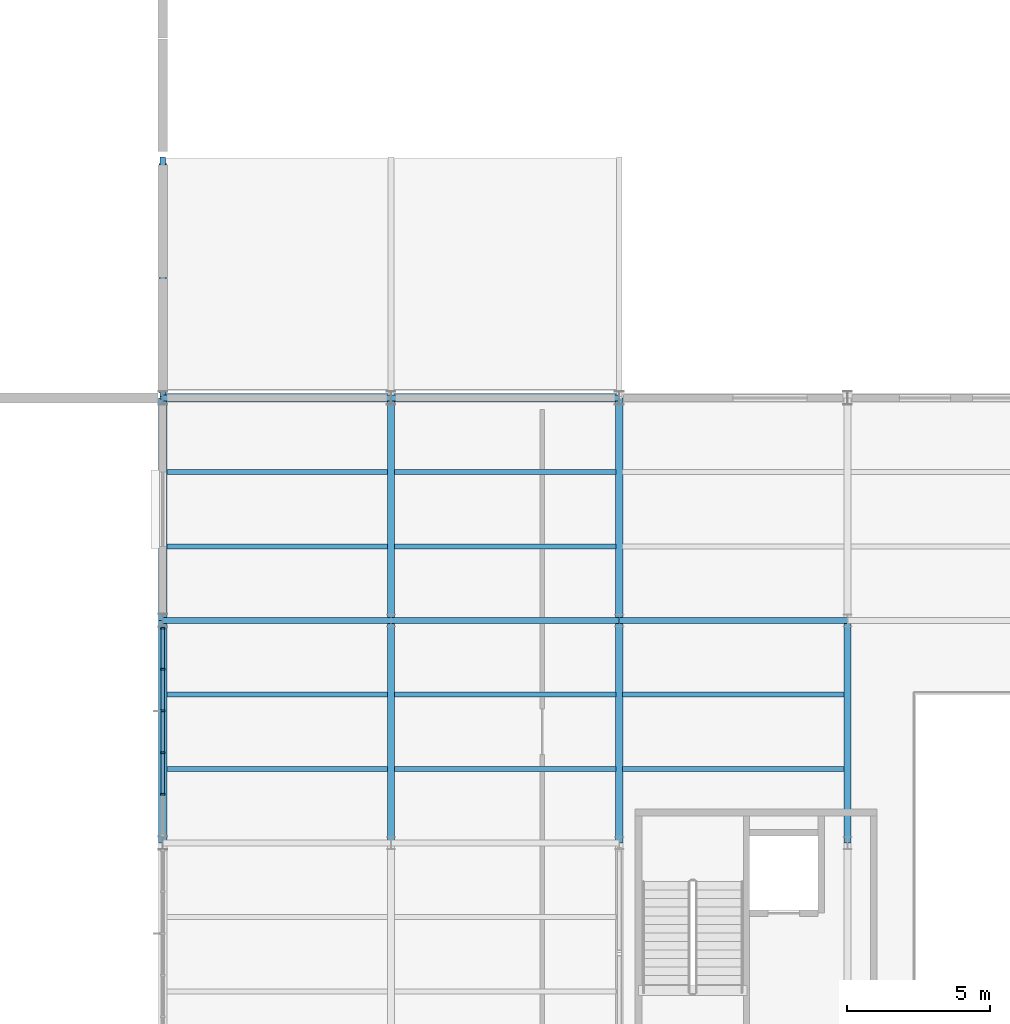
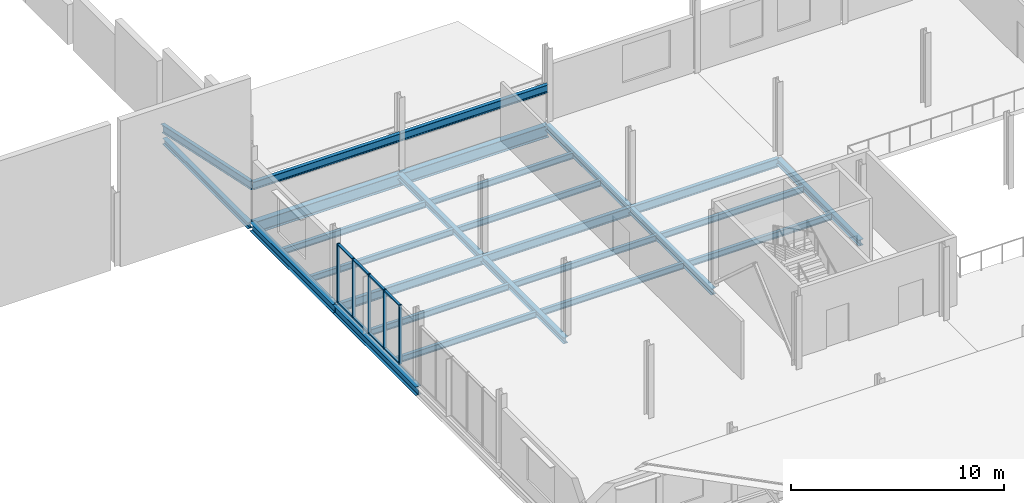
# One storey, part 14 of 45: 26 beams, 13 members, 1 element without a shape of its own.
"""IFC4 building model written with IfcOpenShell, lengths in metres."""

from ifc_helpers import new_model, si_unit, direction, frame, origin, origin_2d, place, context, subcontext, project, spatial, rectangle, i_section, extrude, material, layer, layer_set, material_profile, profile_set, type_object, element, aggregate, save


model = new_model("IFC4")

# Units and contexts
model_context = context("Model", 3, precision=1e-05, world=origin(), true_north=direction((0.0, 1.0)))
body_context = subcontext(model_context, "Body", "Model", "MODEL_VIEW")
ifc_project = project(units=[si_unit("LENGTHUNIT", "METRE"), si_unit("AREAUNIT", "SQUARE_METRE"), si_unit("VOLUMEUNIT", "CUBIC_METRE"), si_unit("PLANEANGLEUNIT", "RADIAN"), si_unit("MASSUNIT", "GRAM", prefix="KILO")], contexts=[model_context])

# Site, building, storey
site_placement = place(None, origin())
site = spatial("IfcSite", under=ifc_project, at=site_placement, CompositionType="ELEMENT")
building_placement = place(site_placement, origin())
building = spatial("IfcBuilding", under=site, at=building_placement, Name="Yukiwa Park Conservatory and Herbarium", CompositionType="ELEMENT")
storey_placement = place(building_placement, frame((0.0, 0.0, 9.0)))
storey = spatial("IfcBuildingStorey", under=building, at=storey_placement, Name="L02", CompositionType="ELEMENT", Elevation=9.0)

# Beams
ifc_material_1 = material(Name="Steel Q355D", Category="steel")
ifc_material_profile_1 = material_profile(ifc_material_1, i_section(OverallWidth=0.25, OverallDepth=0.340087890625, WebThickness=0.009033203125, FlangeThickness=0.013916015625, FilletRadius=0.02001953125, at=origin_2d()), Name="HM 340x250x9x14")
ifc_profile_set_1 = profile_set([ifc_material_profile_1], Name="Steel Q355D")
beam_type_1 = type_object("IfcBeamType", Name="BM-GRD-HM340", PredefinedType="BEAM", material=ifc_profile_set_1)
beam_1_placement = place(storey_placement, frame((60.0, 78.179931640625, -0.590087890625), z_axis=(0.0, 1.0, 0.0), x_axis=(-1.0, 0.0, 0.0)))
element("IfcBeam", 1, at=beam_1_placement, inside=storey, type_object=beam_type_1, Name="Auditorium east clerestory spandrel girder", PredefinedType="BEAM", context=body_context, shape_type="SweptSolid", body=[
    extrude(i_section(OverallWidth=0.25, OverallDepth=0.340087890625, WebThickness=0.009033203125, FlangeThickness=0.013916015625, FilletRadius=0.02001953125, at=origin_2d()), origin(), (0.0, 0.0, 1.0), 8.0400390625),
])
ifc_material_2 = material(Name="Steel Q355D", Category="steel")
ifc_material_profile_2 = material_profile(ifc_material_2, i_section(OverallWidth=0.25, OverallDepth=0.35009765625, WebThickness=0.009033203125, FlangeThickness=0.013916015625, FilletRadius=0.02001953125, at=origin_2d()), Name="HM 350x250x9x14")
ifc_profile_set_2 = profile_set([ifc_material_profile_2], Name="Steel Q355D")
beam_type_2 = type_object("IfcBeamType", Name="BM-GRD-HM350", PredefinedType="BEAM", material=ifc_profile_set_2)
beam_2_placement = place(storey_placement, frame((68.0, 62.406005859375, -0.419921875), z_axis=(0.0, 1.0, 0.0), x_axis=(-1.0, 0.0, 0.0)))
element("IfcBeam", 2, at=beam_2_placement, inside=storey, type_object=beam_type_2, Name="L02 grid girder Y-64", PredefinedType="BEAM", context=body_context, shape_type="SweptSolid", body=[
    extrude(i_section(OverallWidth=0.25, OverallDepth=0.35009765625, WebThickness=0.009033203125, FlangeThickness=0.013916015625, FilletRadius=0.02001953125, at=origin_2d()), origin(), (0.0, 0.0, 1.0), 7.7880859375),
])
beam_3_placement = place(storey_placement, frame((68.0, 70.2060546875, -0.419921875), z_axis=(0.0, 1.0, 0.0), x_axis=(-1.0, 0.0, 0.0)))
element("IfcBeam", 3, at=beam_3_placement, inside=storey, type_object=beam_type_2, Name="L02 grid girder Y-65", PredefinedType="BEAM", context=body_context, shape_type="SweptSolid", body=[
    extrude(i_section(OverallWidth=0.25, OverallDepth=0.35009765625, WebThickness=0.009033203125, FlangeThickness=0.013916015625, FilletRadius=0.02001953125, at=origin_2d()), origin(), (0.0, 0.0, 1.0), 7.787841796875),
])
beam_4_placement = place(storey_placement, frame((76.0, 62.406005859375, -0.419921875), z_axis=(0.0, 1.0, 0.0), x_axis=(-1.0, 0.0, 0.0)))
element("IfcBeam", 4, at=beam_4_placement, inside=storey, type_object=beam_type_2, Name="L02 grid girder Y-68", PredefinedType="BEAM", context=body_context, shape_type="SweptSolid", body=[
    extrude(i_section(OverallWidth=0.25, OverallDepth=0.35009765625, WebThickness=0.009033203125, FlangeThickness=0.013916015625, FilletRadius=0.02001953125, at=origin_2d()), origin(), (0.0, 0.0, 1.0), 7.7880859375),
])
beam_5_placement = place(storey_placement, frame((76.0, 70.2060546875, -0.419921875), z_axis=(0.0, 1.0, 0.0), x_axis=(-1.0, 0.0, 0.0)))
element("IfcBeam", 5, at=beam_5_placement, inside=storey, type_object=beam_type_2, Name="L02 grid girder Y-69", PredefinedType="BEAM", context=body_context, shape_type="SweptSolid", body=[
    extrude(i_section(OverallWidth=0.25, OverallDepth=0.35009765625, WebThickness=0.009033203125, FlangeThickness=0.013916015625, FilletRadius=0.02001953125, at=origin_2d()), origin(), (0.0, 0.0, 1.0), 7.787841796875),
])
beam_6_placement = place(storey_placement, frame((84.0, 62.406005859375, -0.419921875), z_axis=(0.0, 1.0, 0.0), x_axis=(-1.0, 0.0, 0.0)))
element("IfcBeam", 6, at=beam_6_placement, inside=storey, type_object=beam_type_2, Name="L02 grid girder Y-72", PredefinedType="BEAM", context=body_context, shape_type="SweptSolid", body=[
    extrude(i_section(OverallWidth=0.25, OverallDepth=0.35009765625, WebThickness=0.009033203125, FlangeThickness=0.013916015625, FilletRadius=0.02001953125, at=origin_2d()), origin(), (0.0, 0.0, 1.0), 7.7880859375),
])
ifc_material_3 = material(Name="Steel Q355D", Category="steel")
ifc_material_profile_3 = material_profile(ifc_material_3, i_section(OverallWidth=0.199951171875, OverallDepth=0.449951171875, WebThickness=0.009033203125, FlangeThickness=0.013916015625, FilletRadius=0.01806640625, at=origin_2d()), Name="HN 450x200x9x14")
ifc_profile_set_3 = profile_set([ifc_material_profile_3], Name="Steel Q355D")
beam_type_3 = type_object("IfcBeamType", Name="BM-GRD-HN450-EXT", PredefinedType="BEAM", material=ifc_profile_set_3)
for number, where, z_axis, x_axis, name in (
    (7, (60.006103515625, 78.0, 1.8154296875), (1.0, 0.0, 0.0), (0.0, 1.0, 0.0), "Auditorium link ridge header girder 1"),
    (8, (68.006103515625, 78.0, 1.8154296875), (1.0, 0.0, 0.0), (0.0, 1.0, 0.0), "Auditorium link ridge header girder 2"),
):
    element("IfcBeam", number, at=place(storey_placement, frame(where, z_axis=z_axis, x_axis=x_axis)), inside=storey, type_object=beam_type_3, Name=name, PredefinedType="BEAM", context=body_context, shape_type="SweptSolid", body=[
        extrude(i_section(OverallWidth=0.199951171875, OverallDepth=0.449951171875, WebThickness=0.009033203125, FlangeThickness=0.013916015625, FilletRadius=0.01806640625, at=origin_2d()), origin(), (0.0, 0.0, 1.0), 7.98779296875),
    ])
beam_7_placement = place(storey_placement, frame((60.0, 78.006103515625, 1.8154296875), z_axis=(0.0, 0.978088541236, -0.20818935012), x_axis=(-1.0, 0.0, 0.0)))
element("IfcBeam", 9, at=beam_7_placement, inside=storey, type_object=beam_type_3, Name="Auditorium link sloped rafter 1", PredefinedType="BEAM", context=body_context, shape_type="SweptSolid", body=[
    extrude(i_section(OverallWidth=0.199951171875, OverallDepth=0.449951171875, WebThickness=0.009033203125, FlangeThickness=0.013916015625, FilletRadius=0.01806640625, at=origin_2d()), origin(), (0.0, 0.0, 1.0), 8.575927734375),
])
ifc_material_4 = material(Name="Steel Q355D", Category="steel")
ifc_material_profile_4 = material_profile(ifc_material_4, i_section(OverallWidth=0.198974609375, OverallDepth=0.49609375, WebThickness=0.009033203125, FlangeThickness=0.013916015625, FilletRadius=0.02001953125, at=origin_2d()), Name="HN 496x199x9x14")
ifc_profile_set_4 = profile_set([ifc_material_profile_4], Name="Steel Q355D")
beam_type_4 = type_object("IfcBeamType", Name="BM-GRD-HN496", PredefinedType="BEAM", material=ifc_profile_set_4)
for number, where, z_axis, x_axis, name in (
    (10, (60.006103515625, 70.199951171875, -0.492919921875), (1.0, 0.0, 0.0), (0.0, 1.0, 0.0), "L02 grid beam X-15"),
    (11, (68.006103515625, 70.199951171875, -0.492919921875), (1.0, 0.0, 0.0), (0.0, 1.0, 0.0), "L02 grid beam X-16"),
    (12, (76.006103515625, 70.199951171875, -0.492919921875), (1.0, 0.0, 0.0), (0.0, 1.0, 0.0), "L02 grid beam X-17"),
):
    element("IfcBeam", number, at=place(storey_placement, frame(where, z_axis=z_axis, x_axis=x_axis)), inside=storey, type_object=beam_type_4, Name=name, PredefinedType="BEAM", context=body_context, shape_type="SweptSolid", body=[
        extrude(i_section(OverallWidth=0.198974609375, OverallDepth=0.49609375, WebThickness=0.009033203125, FlangeThickness=0.013916015625, FilletRadius=0.02001953125, at=origin_2d()), origin(), (0.0, 0.0, 1.0), 7.98779296875),
    ])
ifc_material_5 = material(Name="Steel Q355D", Category="steel")
ifc_material_profile_5 = material_profile(ifc_material_5, i_section(OverallWidth=0.174072265625, OverallDepth=0.345947265625, WebThickness=0.006103515625, FlangeThickness=0.009033203125, FilletRadius=0.013916015625, at=origin_2d()), Name="HN 346x174x6x9")
ifc_profile_set_5 = profile_set([ifc_material_profile_5], Name="Steel Q355D")
beam_type_5 = type_object("IfcBeamType", Name="BM-JST-HN346", PredefinedType="JOIST", material=ifc_profile_set_5)
for number, where, z_axis, x_axis, name in (
    (13, (60.14599609375, 65.0, -0.41796875), (1.0, 0.0, 0.0), (0.0, 1.0, 0.0), "L02 composite floor joist 5"),
    (14, (60.14599609375, 67.60009765625, -0.41796875), (1.0, 0.0, 0.0), (0.0, 1.0, 0.0), "L02 composite floor joist 6"),
    (15, (60.14599609375, 72.800048828125, -0.41796875), (1.0, 0.0, 0.0), (0.0, 1.0, 0.0), "L02 composite floor joist 7"),
    (16, (60.14599609375, 75.39990234375, -0.41796875), (1.0, 0.0, 0.0), (0.0, 1.0, 0.0), "L02 composite floor joist 8"),
):
    element("IfcBeam", number, at=place(storey_placement, frame(where, z_axis=z_axis, x_axis=x_axis)), inside=storey, type_object=beam_type_5, Name=name, PredefinedType="JOIST", context=body_context, shape_type="SweptSolid", body=[
        extrude(i_section(OverallWidth=0.174072265625, OverallDepth=0.345947265625, WebThickness=0.006103515625, FlangeThickness=0.009033203125, FilletRadius=0.013916015625, at=origin_2d()), origin(), (0.0, 0.0, 1.0), 7.73291015625),
    ])
for number, where, z_axis, x_axis, name in (
    (17, (68.12109375, 65.0, -0.41796875), (1.0, 0.0, 0.0), (0.0, 1.0, 0.0), "L02 composite floor joist 13"),
    (18, (68.12109375, 67.60009765625, -0.41796875), (1.0, 0.0, 0.0), (0.0, 1.0, 0.0), "L02 composite floor joist 14"),
    (19, (68.12109375, 72.800048828125, -0.41796875), (1.0, 0.0, 0.0), (0.0, 1.0, 0.0), "L02 composite floor joist 15"),
    (20, (68.12109375, 75.39990234375, -0.41796875), (1.0, 0.0, 0.0), (0.0, 1.0, 0.0), "L02 composite floor joist 16"),
    (21, (76.12109375, 65.0, -0.41796875), (1.0, 0.0, 0.0), (0.0, 1.0, 0.0), "L02 composite floor joist 19"),
    (22, (76.12109375, 67.60009765625, -0.41796875), (1.0, 0.0, 0.0), (0.0, 1.0, 0.0), "L02 composite floor joist 20"),
):
    element("IfcBeam", number, at=place(storey_placement, frame(where, z_axis=z_axis, x_axis=x_axis)), inside=storey, type_object=beam_type_5, Name=name, PredefinedType="JOIST", context=body_context, shape_type="SweptSolid", body=[
        extrude(i_section(OverallWidth=0.174072265625, OverallDepth=0.345947265625, WebThickness=0.006103515625, FlangeThickness=0.009033203125, FilletRadius=0.013916015625, at=origin_2d()), origin(), (0.0, 0.0, 1.0), 7.7578125),
    ])
ifc_material_6 = material(Name="Steel Q355D", Category="steel")
ifc_material_profile_6 = material_profile(ifc_material_6, i_section(OverallWidth=0.300048828125, OverallDepth=0.493896484375, WebThickness=0.010986328125, FlangeThickness=0.014892578125, FilletRadius=0.02392578125, at=origin_2d()), Name="HM 494x300x11x15")
ifc_profile_set_6 = profile_set([ifc_material_profile_6], Name="Steel Q355D")
beam_type_6 = type_object("IfcBeamType", Name="BM-SPN-HN450", PredefinedType="SPANDREL", material=ifc_profile_set_6)
beam_8_placement = place(storey_placement, frame((60.0, 62.406005859375, -0.491943359375), z_axis=(0.0, 1.0, 0.0), x_axis=(-1.0, 0.0, 0.0)))
element("IfcBeam", 23, at=beam_8_placement, inside=storey, type_object=beam_type_6, Name="L02 spandrel girder Y-60", PredefinedType="SPANDREL", context=body_context, shape_type="SweptSolid", body=[
    extrude(i_section(OverallWidth=0.300048828125, OverallDepth=0.493896484375, WebThickness=0.010986328125, FlangeThickness=0.014892578125, FilletRadius=0.02392578125, at=origin_2d()), origin(), (0.0, 0.0, 1.0), 7.7880859375),
])
beam_9_placement = place(storey_placement, frame((60.0, 70.2060546875, -0.491943359375), z_axis=(0.0, 1.0, 0.0), x_axis=(-1.0, 0.0, 0.0)))
element("IfcBeam", 24, at=beam_9_placement, inside=storey, type_object=beam_type_6, Name="L02 spandrel girder Y-61", PredefinedType="SPANDREL", context=body_context, shape_type="SweptSolid", body=[
    extrude(i_section(OverallWidth=0.300048828125, OverallDepth=0.493896484375, WebThickness=0.010986328125, FlangeThickness=0.014892578125, FilletRadius=0.02392578125, at=origin_2d()), origin(), (0.0, 0.0, 1.0), 7.787841796875),
])
ifc_material_7 = material(Name="Steel Q355D", Category="steel")
ifc_material_profile_7 = material_profile(ifc_material_7, i_section(OverallWidth=0.300048828125, OverallDepth=0.69189453125, WebThickness=0.012939453125, FlangeThickness=0.02001953125, FilletRadius=0.028076171875, at=origin_2d()), Name="HN 692x300x13x20")
ifc_profile_set_7 = profile_set([ifc_material_profile_7], Name="Steel Q355D")
beam_type_7 = type_object("IfcBeamType", Name="BM-SPN-HN550", PredefinedType="SPANDREL", material=ifc_profile_set_7)
for number, where, z_axis, x_axis, name in (
    (25, (60.006103515625, 78.0, -0.591064453125), (1.0, 0.0, 0.0), (0.0, 1.0, 0.0), "L02 spandrel beam X-21"),
    (26, (68.006103515625, 78.0, -0.591064453125), (1.0, 0.0, 0.0), (0.0, 1.0, 0.0), "L02 spandrel beam X-22"),
):
    element("IfcBeam", number, at=place(storey_placement, frame(where, z_axis=z_axis, x_axis=x_axis)), inside=storey, type_object=beam_type_7, Name=name, PredefinedType="SPANDREL", context=body_context, shape_type="SweptSolid", body=[
        extrude(i_section(OverallWidth=0.300048828125, OverallDepth=0.69189453125, WebThickness=0.012939453125, FlangeThickness=0.02001953125, FilletRadius=0.028076171875, at=origin_2d()), origin(), (0.0, 0.0, 1.0), 7.98779296875),
    ])

# Curtain wall, members
ifc_material_8 = material(Name="Triple Low-E Insulated Glass", Category="glass")
ifc_layer = layer(ifc_material_8, 0.199951171875)
ifc_layer_set = layer_set([ifc_layer], Name="Triple Low-E Insulated Glass")
curtain_wall_type = type_object("IfcCurtainWallType", Name="CW-VISITOR-1600", PredefinedType="NOTDEFINED", material=ifc_layer_set)
curtain_wall_placement = place(storey_placement, origin())
curtain_wall = element("IfcCurtainWall", 27, at=curtain_wall_placement, inside=storey, type_object=curtain_wall_type, Name="L02 unitised curtain wall CW-L02-066", PredefinedType="NOTDEFINED")
ifc_material_9 = material(Name="Anodised Aluminium", Category="aluminium")
member_type_1 = type_object("IfcMemberType", Name="MB-CW-MUL-70X150", PredefinedType="MULLION", material=ifc_material_9)
member_1_placement = place(storey_placement, frame((60.0, 69.924072265625, 0.0), z_axis=(0.0, 0.0, 1.0), x_axis=(0.0, -1.0, 0.0)))
member_1 = element("IfcMember", 28, at=member_1_placement, type_object=member_type_1, Name="CW-L02-066 mullion 1", PredefinedType="MULLION", context=body_context, shape_type="SweptSolid", body=[
    extrude(rectangle(XDim=0.070068359375, YDim=0.14990234375, at=origin_2d()), origin(), (0.0, 0.0, 1.0), 3.385986328125),
])
member_2_placement = place(storey_placement, frame((60.0, 68.495361328125, 0.0), z_axis=(0.0, 0.0, 1.0), x_axis=(0.0, -1.0, 0.0)))
member_2 = element("IfcMember", 29, at=member_2_placement, type_object=member_type_1, Name="CW-L02-066 mullion 2", PredefinedType="MULLION", context=body_context, shape_type="SweptSolid", body=[
    extrude(rectangle(XDim=0.070068359375, YDim=0.14990234375, at=origin_2d()), origin(), (0.0, 0.0, 1.0), 3.385986328125),
])
member_3_placement = place(storey_placement, frame((60.0, 67.03173828125, 0.0), z_axis=(0.0, 0.0, 1.0), x_axis=(0.0, -1.0, 0.0)))
member_3 = element("IfcMember", 30, at=member_3_placement, type_object=member_type_1, Name="CW-L02-066 mullion 3", PredefinedType="MULLION", context=body_context, shape_type="SweptSolid", body=[
    extrude(rectangle(XDim=0.070068359375, YDim=0.14990234375, at=origin_2d()), origin(), (0.0, 0.0, 1.0), 3.385986328125),
])
member_4_placement = place(storey_placement, frame((60.0, 65.568115234375, 0.0), z_axis=(0.0, 0.0, 1.0), x_axis=(0.0, -1.0, 0.0)))
member_4 = element("IfcMember", 31, at=member_4_placement, type_object=member_type_1, Name="CW-L02-066 mullion 4", PredefinedType="MULLION", context=body_context, shape_type="SweptSolid", body=[
    extrude(rectangle(XDim=0.070068359375, YDim=0.14990234375, at=origin_2d()), origin(), (0.0, 0.0, 1.0), 3.385986328125),
])
member_5_placement = place(storey_placement, frame((60.0, 64.1044921875, 0.0), z_axis=(0.0, 0.0, 1.0), x_axis=(0.0, -1.0, 0.0)))
member_5 = element("IfcMember", 32, at=member_5_placement, type_object=member_type_1, Name="CW-L02-066 mullion 5", PredefinedType="MULLION", context=body_context, shape_type="SweptSolid", body=[
    extrude(rectangle(XDim=0.070068359375, YDim=0.14990234375, at=origin_2d()), origin(), (0.0, 0.0, 1.0), 3.385986328125),
])
ifc_material_10 = material(Name="Anodised Aluminium", Category="aluminium")
member_type_2 = type_object("IfcMemberType", Name="MB-CW-TRN-70X130", PredefinedType="USERDEFINED", material=ifc_material_10)
member_6_placement = place(storey_placement, frame((60.0, 69.227294921875, 0.0), z_axis=(0.0, 0.0, 1.0), x_axis=(0.0, -1.0, 0.0)))
member_6 = element("IfcMember", 33, at=member_6_placement, type_object=member_type_2, Name="CW-L02-066 transom 1.1", ObjectType="TRANSOM", PredefinedType="USERDEFINED", context=body_context, shape_type="SweptSolid", body=[
    extrude(rectangle(XDim=1.3935546875, YDim=0.1298828125, at=origin_2d()), origin(), (0.0, 0.0, 1.0), 0.070068359375),
])
member_7_placement = place(storey_placement, frame((60.0, 69.227294921875, 3.31591796875), z_axis=(0.0, 0.0, 1.0), x_axis=(0.0, -1.0, 0.0)))
member_7 = element("IfcMember", 34, at=member_7_placement, type_object=member_type_2, Name="CW-L02-066 transom 1.2", ObjectType="TRANSOM", PredefinedType="USERDEFINED", context=body_context, shape_type="SweptSolid", body=[
    extrude(rectangle(XDim=1.3935546875, YDim=0.1298828125, at=origin_2d()), origin(), (0.0, 0.0, 1.0), 0.070068359375),
])
member_8_placement = place(storey_placement, frame((60.0, 67.763671875, 0.0), z_axis=(0.0, 0.0, 1.0), x_axis=(0.0, -1.0, 0.0)))
member_8 = element("IfcMember", 35, at=member_8_placement, type_object=member_type_2, Name="CW-L02-066 transom 2.1", ObjectType="TRANSOM", PredefinedType="USERDEFINED", context=body_context, shape_type="SweptSolid", body=[
    extrude(rectangle(XDim=1.3935546875, YDim=0.1298828125, at=origin_2d()), origin(), (0.0, 0.0, 1.0), 0.070068359375),
])
member_9_placement = place(storey_placement, frame((60.0, 67.763671875, 3.31591796875), z_axis=(0.0, 0.0, 1.0), x_axis=(0.0, -1.0, 0.0)))
member_9 = element("IfcMember", 36, at=member_9_placement, type_object=member_type_2, Name="CW-L02-066 transom 2.2", ObjectType="TRANSOM", PredefinedType="USERDEFINED", context=body_context, shape_type="SweptSolid", body=[
    extrude(rectangle(XDim=1.3935546875, YDim=0.1298828125, at=origin_2d()), origin(), (0.0, 0.0, 1.0), 0.070068359375),
])
member_10_placement = place(storey_placement, frame((60.0, 66.300048828125, 0.0), z_axis=(0.0, 0.0, 1.0), x_axis=(0.0, -1.0, 0.0)))
member_10 = element("IfcMember", 37, at=member_10_placement, type_object=member_type_2, Name="CW-L02-066 transom 3.1", ObjectType="TRANSOM", PredefinedType="USERDEFINED", context=body_context, shape_type="SweptSolid", body=[
    extrude(rectangle(XDim=1.3935546875, YDim=0.1298828125, at=origin_2d()), origin(), (0.0, 0.0, 1.0), 0.070068359375),
])
member_11_placement = place(storey_placement, frame((60.0, 66.300048828125, 3.31591796875), z_axis=(0.0, 0.0, 1.0), x_axis=(0.0, -1.0, 0.0)))
member_11 = element("IfcMember", 38, at=member_11_placement, type_object=member_type_2, Name="CW-L02-066 transom 3.2", ObjectType="TRANSOM", PredefinedType="USERDEFINED", context=body_context, shape_type="SweptSolid", body=[
    extrude(rectangle(XDim=1.3935546875, YDim=0.1298828125, at=origin_2d()), origin(), (0.0, 0.0, 1.0), 0.070068359375),
])
member_12_placement = place(storey_placement, frame((60.0, 64.83642578125, 0.0), z_axis=(0.0, 0.0, 1.0), x_axis=(0.0, -1.0, 0.0)))
member_12 = element("IfcMember", 39, at=member_12_placement, type_object=member_type_2, Name="CW-L02-066 transom 4.1", ObjectType="TRANSOM", PredefinedType="USERDEFINED", context=body_context, shape_type="SweptSolid", body=[
    extrude(rectangle(XDim=1.3935546875, YDim=0.1298828125, at=origin_2d()), origin(), (0.0, 0.0, 1.0), 0.070068359375),
])
member_13_placement = place(storey_placement, frame((60.0, 64.83642578125, 3.31591796875), z_axis=(0.0, 0.0, 1.0), x_axis=(0.0, -1.0, 0.0)))
member_13 = element("IfcMember", 40, at=member_13_placement, type_object=member_type_2, Name="CW-L02-066 transom 4.2", ObjectType="TRANSOM", PredefinedType="USERDEFINED", context=body_context, shape_type="SweptSolid", body=[
    extrude(rectangle(XDim=1.3935546875, YDim=0.1298828125, at=origin_2d()), origin(), (0.0, 0.0, 1.0), 0.070068359375),
])
aggregate(curtain_wall, [member_1, member_2, member_3, member_4, member_5, member_6, member_7, member_8, member_9, member_10, member_11, member_12, member_13])

save(model, "model.ifc")
